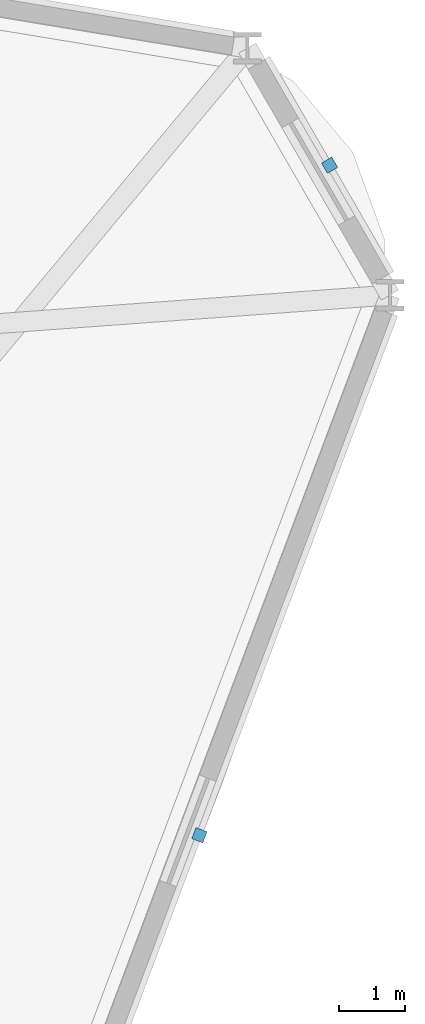
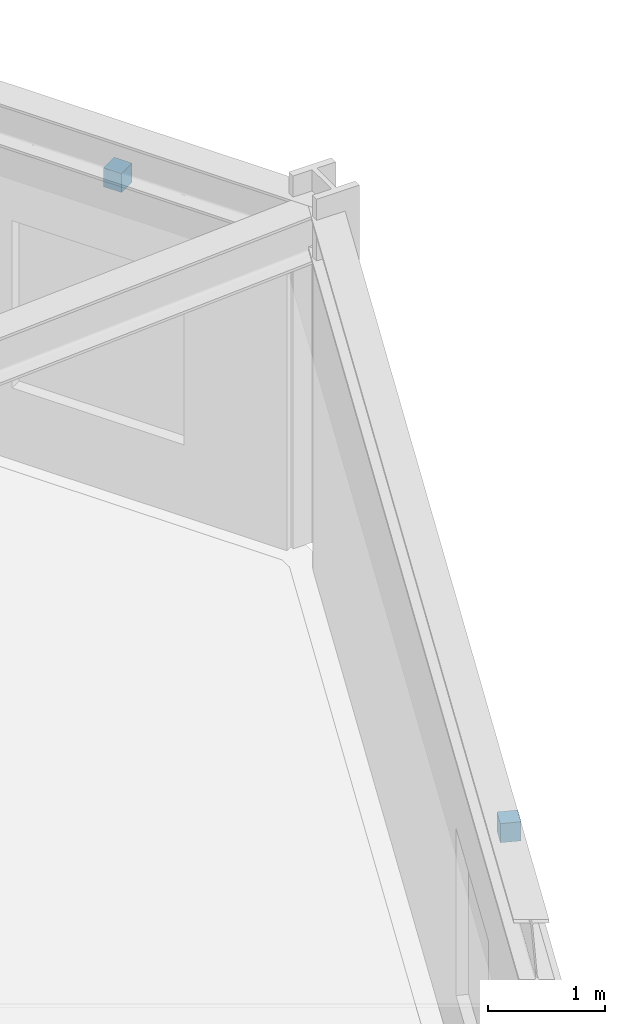
# One storey, part 17 of 20: 2 discrete accessories.
"""IFC4 building model written with IfcOpenShell, lengths in metres."""

from ifc_helpers import new_model, si_unit, derived_unit, direction, frame, origin, origin_2d, place, context, subcontext, project, spatial, rectangle, extrude, source, transform, mapped, material, type_object, element, save


model = new_model("IFC4")

# Units and contexts
model_context = context("Model", 3, precision=1e-05, world=origin(), true_north=direction((0.0, 1.0)))
body_context = subcontext(model_context, "Body", "Model", "MODEL_VIEW")
ifc_project = project(units=[si_unit("LENGTHUNIT", "METRE"), si_unit("AREAUNIT", "SQUARE_METRE"), si_unit("VOLUMEUNIT", "CUBIC_METRE"), si_unit("PLANEANGLEUNIT", "RADIAN"), si_unit("MASSUNIT", "GRAM", prefix="KILO"), derived_unit("THERMALTRANSMITTANCEUNIT", [(si_unit("POWERUNIT", "WATT"), 1), (si_unit("LENGTHUNIT", "METRE"), -2), (si_unit("THERMODYNAMICTEMPERATUREUNIT", "KELVIN"), -1)])], contexts=[model_context])

# Site, building, storey
site_placement = place(None, origin())
site = spatial("IfcSite", under=ifc_project, at=site_placement, CompositionType="ELEMENT")
building_placement = place(site_placement, origin())
building = spatial("IfcBuilding", under=site, at=building_placement, Name="Korsvarv Bourse and Concert Hall", CompositionType="ELEMENT")
storey_placement = place(building_placement, frame((0.0, 0.0, 91.199951171875)))
storey = spatial("IfcBuildingStorey", under=building, at=storey_placement, Name="L22", CompositionType="ELEMENT", Elevation=91.199951171875)

# Discrete accessories
ifc_material = material(Name="Stainless Steel S355 facade outrigger bracket", Category="steel")
discrete_accessory_type = type_object("IfcDiscreteAccessoryType", Name="ACC-BRK-1", PredefinedType="BRACKET", material=ifc_material)
shared_shape = source(origin(), body_context, "Body", "SweptSolid", [
    extrude(rectangle(XDim=0.179931640625, YDim=0.179931640625, at=origin_2d()), origin(), (0.0, 0.0, 1.0), 0.199951171875),
])
for number, where, z_axis, x_axis, name in (
    (1, (65.794189453125, 50.77685546875, 2.97021484375), (0.0, 0.0, 1.0), (-0.5, 0.866025403784, 0.0), "L22 terracotta sunshade bracket EW-L22-B01"),
    (2, (63.830322265625, 40.671875, 2.97021484375), (0.0, 0.0, 1.0), (0.352331719779, 0.935875183578, 0.0), "L22 terracotta sunshade bracket EW-L22-B12"),
):
    element("IfcDiscreteAccessory", number, at=place(storey_placement, frame(where, z_axis=z_axis, x_axis=x_axis)), inside=storey, type_object=discrete_accessory_type, Name=name, PredefinedType="BRACKET", context=body_context, shape_type="MappedRepresentation", body=[
        mapped(shared_shape, transform((0.0, 0.0, 0.0), scale=1.0)),
    ])

save(model, "model.ifc")
